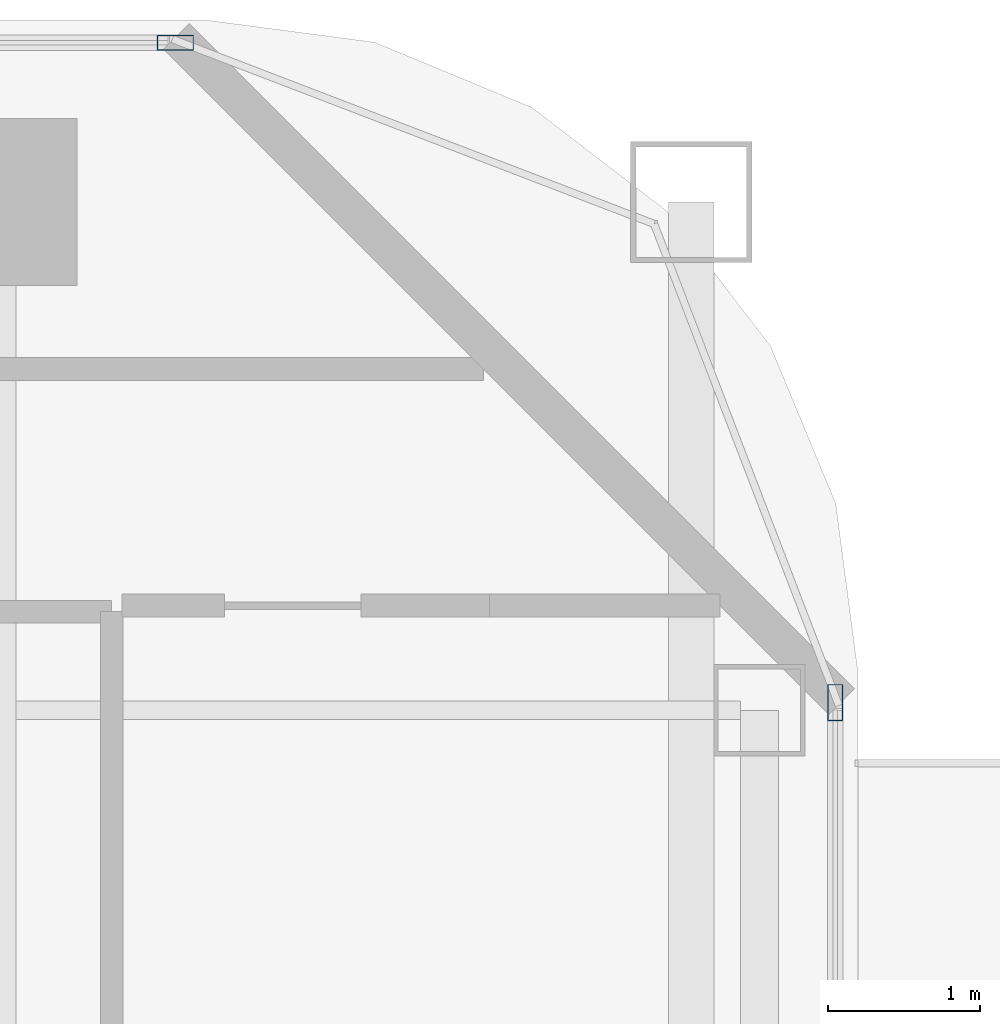
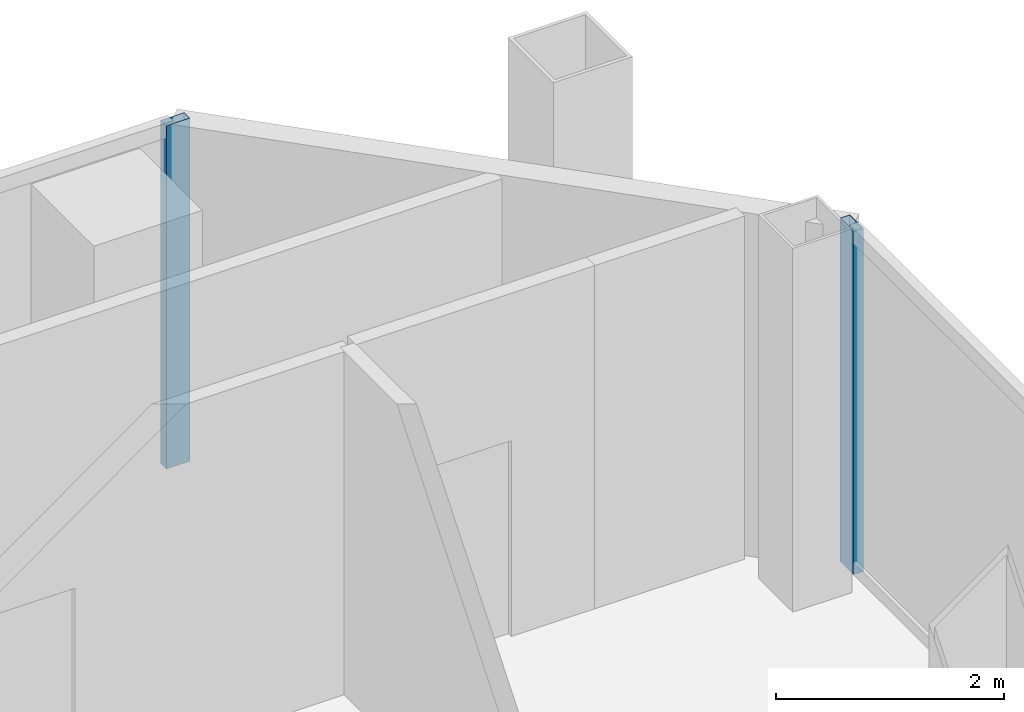
# One storey, part 15 of 23: 2 members, 2 elements without a shape of their own.
"""IFC4 building model written with IfcOpenShell, lengths in metres."""

from ifc_helpers import new_model, si_unit, direction, frame, origin, origin_2d, place, context, subcontext, project, spatial, hollow_rectangle, extrude, material, layer, layer_set, material_profile, profile_set, type_object, element, aggregate, save


model = new_model("IFC4")

# Units and contexts
model_context = context("Model", 3, precision=1e-05, world=origin(), true_north=direction((0.0, 1.0)))
body_context = subcontext(model_context, "Body", "Model", "MODEL_VIEW")
ifc_project = project(units=[si_unit("LENGTHUNIT", "METRE"), si_unit("AREAUNIT", "SQUARE_METRE"), si_unit("VOLUMEUNIT", "CUBIC_METRE"), si_unit("PLANEANGLEUNIT", "RADIAN"), si_unit("MASSUNIT", "GRAM", prefix="KILO")], contexts=[model_context])

# Site, building, storey
site_placement = place(None, origin())
site = spatial("IfcSite", under=ifc_project, at=site_placement, CompositionType="ELEMENT")
building_placement = place(site_placement, origin())
building = spatial("IfcBuilding", under=site, at=building_placement, Name="Khorvyn Point Tower", CompositionType="ELEMENT")
storey_placement = place(building_placement, frame((0.0, 0.0, 199.199951171875)))
storey = spatial("IfcBuildingStorey", under=building, at=storey_placement, Name="L49", CompositionType="ELEMENT", Elevation=199.199951171875)

# Curtain wall, member
ifc_material_1 = material(Name="Anodised aluminium 6063-T6 and laminated Low-E glass", Category="aluminium")
ifc_layer = layer(ifc_material_1, 0.18994140625)
ifc_layer_set = layer_set([ifc_layer], Name="Stick-Built Acoustic Curtain Wall CW-SYS-03")
curtain_wall_type = type_object("IfcCurtainWallType", Name="Stick-Built Acoustic Curtain Wall CW-SYS-03", PredefinedType="NOTDEFINED", material=ifc_layer_set)
curtain_wall_1_placement = place(storey_placement, origin())
curtain_wall_1 = element("IfcCurtainWall", 1, at=curtain_wall_1_placement, inside=storey, type_object=curtain_wall_type, Name="Curtain Wall", PredefinedType="NOTDEFINED")
ifc_material_2 = material(Name="Anodised aluminium 6063-T6", Category="aluminium")
ifc_material_profile = material_profile(ifc_material_2, hollow_rectangle(XDim=0.10009765625, YDim=0.239990234375, WallThickness=0.0048828125, at=origin_2d()))
ifc_profile_set = profile_set([ifc_material_profile], Name="Anodised aluminium 6063-T6 ALU-MUL-100x240")
member_type = type_object("IfcMemberType", Name="Anodised Aluminium 6063-T6 Mullion ALU-MUL-100x240", PredefinedType="MULLION", material=ifc_profile_set)
member_1_placement = place(storey_placement, frame((16.0, 15.85009765625, 0.0), z_axis=(0.0, 0.0, 1.0), x_axis=(0.0, 1.0, 0.0)))
member_1 = element("IfcMember", 2, at=member_1_placement, type_object=member_type, Name="Transom", PredefinedType="MULLION", context=body_context, shape_type="SweptSolid", body=[
    extrude(hollow_rectangle(XDim=0.10009765625, YDim=0.239990234375, WallThickness=0.0048828125, at=origin_2d()), origin(), (0.0, 0.0, 1.0), 3.679931640625),
])
aggregate(curtain_wall_1, [member_1])

curtain_wall_2_placement = place(storey_placement, origin())
curtain_wall_2 = element("IfcCurtainWall", 3, at=curtain_wall_2_placement, inside=storey, type_object=curtain_wall_type, Name="Curtain Wall", PredefinedType="NOTDEFINED")
member_2_placement = place(storey_placement, frame((20.35009765625, 11.5, 0.0), z_axis=(0.0, 0.0, 1.0), x_axis=(1.0, 0.0, 0.0)))
member_2 = element("IfcMember", 4, at=member_2_placement, type_object=member_type, Name="Transom", PredefinedType="MULLION", context=body_context, shape_type="SweptSolid", body=[
    extrude(hollow_rectangle(XDim=0.10009765625, YDim=0.239990234375, WallThickness=0.0048828125, at=origin_2d()), origin(), (0.0, 0.0, 1.0), 3.679931640625),
])
aggregate(curtain_wall_2, [member_2])

save(model, "model.ifc")
